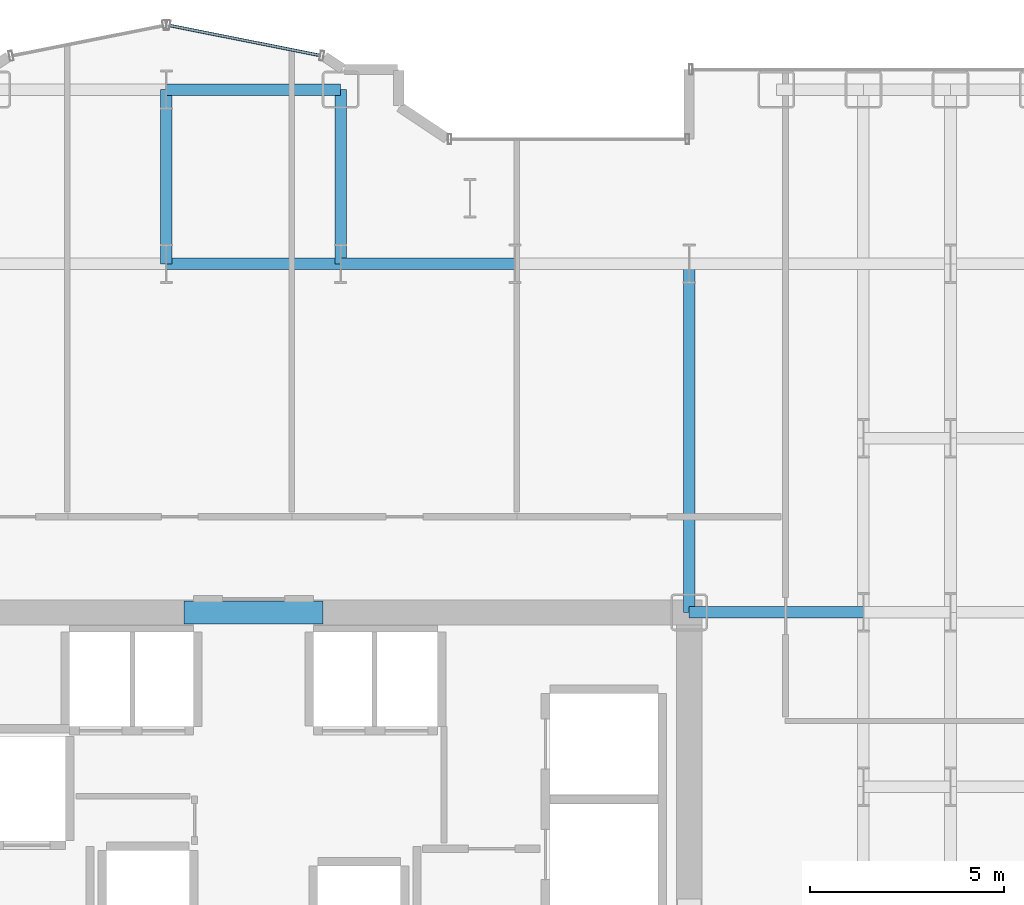
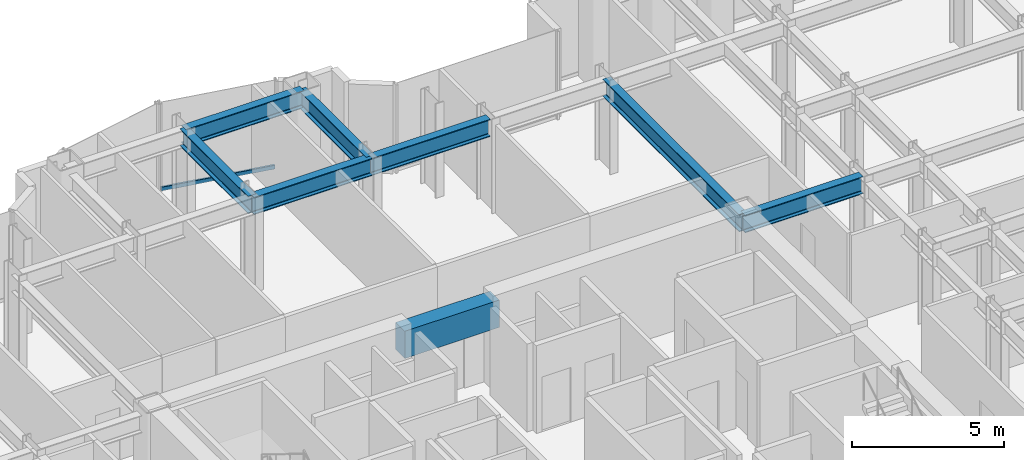
# One storey, part 11 of 25: 8 beams, 1 member, 1 element without a shape of its own.
"""IFC4 building model written with IfcOpenShell, lengths in metres."""

from ifc_helpers import new_model, si_unit, direction, frame, origin, origin_2d, place, context, subcontext, project, spatial, rectangle, hollow_rectangle, i_section, extrude, source, transform, mapped, material, layer, layer_set, material_profile, profile_set, type_object, element, aggregate, save


model = new_model("IFC4")

# Units and contexts
model_context = context("Model", 3, precision=1e-05, world=origin(), true_north=direction((0.0, 1.0)))
body_context = subcontext(model_context, "Body", "Model", "MODEL_VIEW")
ifc_project = project(units=[si_unit("LENGTHUNIT", "METRE"), si_unit("AREAUNIT", "SQUARE_METRE"), si_unit("VOLUMEUNIT", "CUBIC_METRE"), si_unit("PLANEANGLEUNIT", "RADIAN"), si_unit("MASSUNIT", "GRAM", prefix="KILO")], contexts=[model_context])

# Site, building, storey
site_placement = place(None, origin())
site = spatial("IfcSite", under=ifc_project, at=site_placement, CompositionType="ELEMENT")
building_placement = place(site_placement, origin())
building = spatial("IfcBuilding", under=site, at=building_placement, Name="Nefas-Gora Pilgrimage Tower", CompositionType="ELEMENT")
storey_placement = place(building_placement, frame((0.0, 0.0, 52.0)))
storey = spatial("IfcBuildingStorey", under=building, at=storey_placement, Name="L11", CompositionType="ELEMENT", Elevation=52.0)

# Beams
ifc_material_1 = material(Name="Concrete C60/75", Category="concrete")
ifc_material_profile_1 = material_profile(ifc_material_1, rectangle(XDim=0.60009765625, YDim=1.10009765625, at=origin_2d()), Name="RC 600x1100")
ifc_profile_set_1 = profile_set([ifc_material_profile_1], Name="Concrete C60/75")
beam_type_1 = type_object("IfcBeamType", Name="BM-LIN-RC1100", PredefinedType="LINTEL", material=ifc_profile_set_1)
shared_shape_1 = source(origin(), body_context, "Body", "SweptSolid", [
    extrude(rectangle(XDim=0.60009765625, YDim=1.10009765625, at=origin_2d()), origin(), (0.0, 0.0, 1.0), 3.60009765625),
])
beam_1_placement = place(storey_placement, frame((-1.800048828125, 9.0, 3.0), z_axis=(1.0, 0.0, 0.0), x_axis=(0.0, 1.0, 0.0)))
element("IfcBeam", 1, at=beam_1_placement, inside=storey, type_object=beam_type_1, Name="L11 Core Coupling Lintel Beam N", PredefinedType="LINTEL", context=body_context, shape_type="MappedRepresentation", body=[
    mapped(shared_shape_1, transform((0.0, 0.0, 0.0), x_axis=(1.0, 0.0, 0.0), y_axis=(0.0, 1.0, 0.0), z_axis=(0.0, 0.0, 1.0), scale=1.0)),
])
ifc_material_2 = material(Name="Steel S355", Category="steel")
ifc_material_profile_2 = material_profile(ifc_material_2, i_section(OverallWidth=0.300048828125, OverallDepth=0.699951171875, WebThickness=0.01708984375, FlangeThickness=0.031982421875, FilletRadius=0.027099609375, at=origin_2d()), Name="HEB 700")
ifc_profile_set_2 = profile_set([ifc_material_profile_2], Name="Steel S355")
beam_type_2 = type_object("IfcBeamType", Name="BM-GIR-HEB700", PredefinedType="BEAM", material=ifc_profile_set_2)
shared_shape_2 = source(origin(), body_context, "Body", "SweptSolid", [
    extrude(i_section(OverallWidth=0.300048828125, OverallDepth=0.699951171875, WebThickness=0.01708984375, FlangeThickness=0.031982421875, FilletRadius=0.027099609375, at=origin_2d()), origin(), (0.0, 0.0, 1.0), 9.0),
])
beam_2_placement = place(storey_placement, frame((11.25, 9.0, 3.199951171875), z_axis=(0.0, 1.0, 0.0), x_axis=(-1.0, 0.0, 0.0)))
element("IfcBeam", 2, at=beam_2_placement, inside=storey, type_object=beam_type_2, Name="L11 G-02 beam", PredefinedType="BEAM", context=body_context, shape_type="MappedRepresentation", body=[
    mapped(shared_shape_2, transform((0.0, 0.0, 0.0), x_axis=(1.0, 0.0, 0.0), y_axis=(0.0, 1.0, 0.0), z_axis=(0.0, 0.0, 1.0), scale=1.0)),
])
shared_shape_3 = source(origin(), body_context, "Body", "SweptSolid", [
    extrude(i_section(OverallWidth=0.300048828125, OverallDepth=0.699951171875, WebThickness=0.01708984375, FlangeThickness=0.031982421875, FilletRadius=0.027099609375, at=origin_2d()), origin(), (0.0, 0.0, 1.0), 4.5),
])
for number, where, z_axis, x_axis, name in (
    (3, (-2.25, 18.0, 3.199951171875), (0.0, 1.0, 0.0), (-1.0, 0.0, 0.0), "L11 G-02 beam"),
    (4, (-2.25, 18.0, 3.199951171875), (1.0, 0.0, 0.0), (0.0, 1.0, 0.0), "L11 G-02 beam"),
    (5, (-2.25, 22.5, 3.199951171875), (1.0, 0.0, 0.0), (0.0, 1.0, 0.0), "L11 G-02 beam"),
    (6, (2.25, 18.0, 3.199951171875), (0.0, 1.0, 0.0), (-1.0, 0.0, 0.0), "L11 G-02 beam"),
    (7, (2.25, 18.0, 3.199951171875), (1.0, 0.0, 0.0), (0.0, 1.0, 0.0), "L11 G-02 beam"),
    (8, (11.25, 9.0, 3.199951171875), (1.0, 0.0, 0.0), (0.0, 1.0, 0.0), "L11 G-02 beam"),
):
    element("IfcBeam", number, at=place(storey_placement, frame(where, z_axis=z_axis, x_axis=x_axis)), inside=storey, type_object=beam_type_2, Name=name, PredefinedType="BEAM", context=body_context, shape_type="MappedRepresentation", body=[
        mapped(shared_shape_3, transform((0.0, 0.0, 0.0), x_axis=(1.0, 0.0, 0.0), y_axis=(0.0, 1.0, 0.0), z_axis=(0.0, 0.0, 1.0), scale=1.0)),
    ])

# Curtain wall, member
ifc_material_3 = material(Name="Dark ceramic-fritted solar-control aluminium-glass curtain wall", Category="aluminium")
ifc_layer = layer(ifc_material_3, 0.219970703125)
ifc_layer_set = layer_set([ifc_layer], Name="Dark ceramic-fritted solar-control aluminium-glass curtain wall")
curtain_wall_type = type_object("IfcCurtainWallType", Name="CW-SYS-5", PredefinedType="NOTDEFINED", material=ifc_layer_set)
curtain_wall_placement = place(storey_placement, origin())
curtain_wall = element("IfcCurtainWall", 9, at=curtain_wall_placement, inside=storey, type_object=curtain_wall_type, Name="L11 Unitised Curtain Wall CW5", PredefinedType="NOTDEFINED")
ifc_material_4 = material(Name="Anodised architectural aluminium", Category="aluminium")
ifc_material_profile_3 = material_profile(ifc_material_4, hollow_rectangle(XDim=0.080078125, YDim=0.159912109375, WallThickness=0.00439453125, InnerFilletRadius=0.00439453125, OuterFilletRadius=0.009033203125, at=origin_2d()), Name="ALU TRANSOM 80x160")
ifc_profile_set_3 = profile_set([ifc_material_profile_3], Name="Anodised architectural aluminium")
member_type = type_object("IfcMemberType", Name="CWM-TRN-5", PredefinedType="USERDEFINED", material=ifc_profile_set_3)
shared_shape_4 = source(origin(), body_context, "Body", "SweptSolid", [
    extrude(hollow_rectangle(XDim=0.080078125, YDim=0.159912109375, WallThickness=0.00439453125, InnerFilletRadius=0.00439453125, OuterFilletRadius=0.009033203125, at=origin_2d()), origin(), (0.0, 0.0, 1.0), 3.95654296875),
])
member_placement = place(storey_placement, frame((1.718994140625, 23.3828125, 0.050048828125), z_axis=(-0.980781880918, 0.195107411605, 0.0), x_axis=(-0.195107411605, -0.980781880918, 0.0)))
member = element("IfcMember", 10, at=member_placement, type_object=member_type, Name="CW5 Spandrel Transom", ObjectType="TRANSOM", PredefinedType="USERDEFINED", context=body_context, shape_type="MappedRepresentation", body=[
    mapped(shared_shape_4, transform((0.0, 0.0, 0.0), x_axis=(1.0, 0.0, 0.0), y_axis=(0.0, 1.0, 0.0), z_axis=(0.0, 0.0, 1.0), scale=1.0)),
])
aggregate(curtain_wall, [member])

save(model, "model.ifc")
